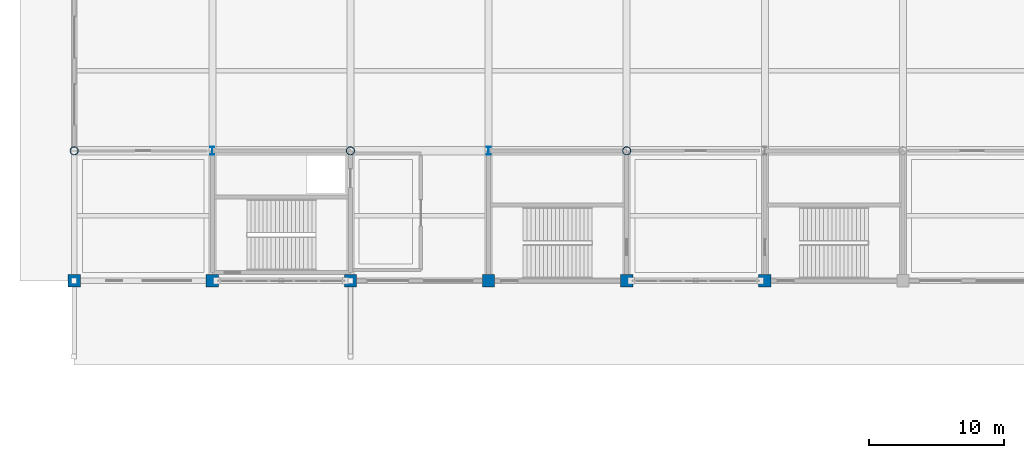
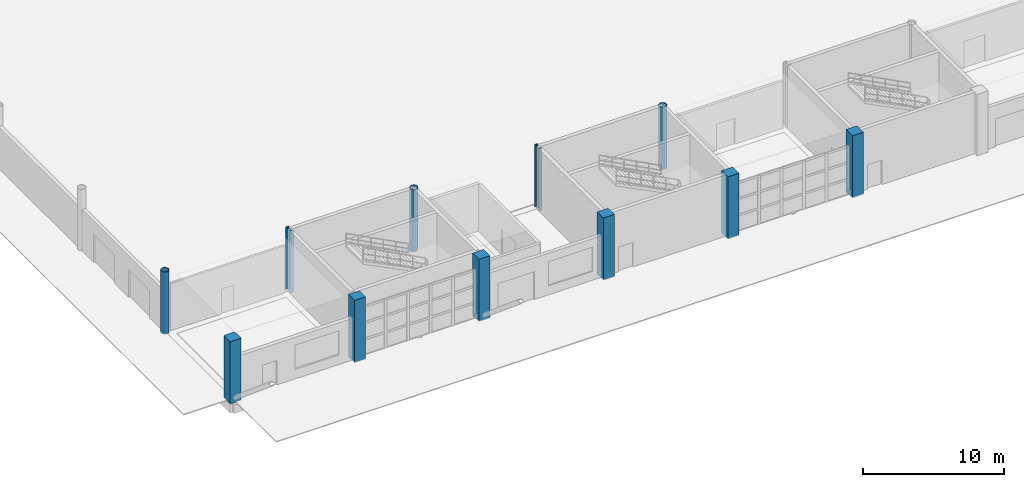
# One storey, part 1 of 124: 11 columns.
"""IFC4 building model written with IfcOpenShell, lengths in metres."""

from ifc_helpers import new_model, si_unit, direction, frame, origin, origin_2d, place, context, subcontext, project, spatial, rectangle, hollow_circle, i_section, extrude, material, material_profile, profile_set, type_object, element, save


model = new_model("IFC4")

# Units and contexts
model_context = context("Model", 3, precision=1e-05, world=origin(), true_north=direction((0.0, 1.0)))
body_context = subcontext(model_context, "Body", "Model", "MODEL_VIEW")
ifc_project = project(units=[si_unit("LENGTHUNIT", "METRE"), si_unit("AREAUNIT", "SQUARE_METRE"), si_unit("VOLUMEUNIT", "CUBIC_METRE"), si_unit("PLANEANGLEUNIT", "RADIAN"), si_unit("MASSUNIT", "GRAM", prefix="KILO")], contexts=[model_context])

# Site, building, storey
site_placement = place(None, origin())
site = spatial("IfcSite", under=ifc_project, at=site_placement, CompositionType="ELEMENT")
building_placement = place(site_placement, origin())
building = spatial("IfcBuilding", under=site, at=building_placement, Name="Brelvane Convention Centre", CompositionType="ELEMENT")
storey_placement = place(building_placement, origin())
storey = spatial("IfcBuildingStorey", under=building, at=storey_placement, Name="L00", CompositionType="ELEMENT", Elevation=0.0)

# Columns
ifc_material_1 = material(Name="Concrete M50", Category="concrete")
ifc_material_profile_1 = material_profile(ifc_material_1, rectangle(XDim=0.89990234375, YDim=0.89990234375, at=origin_2d()), Name="RC 900x900")
ifc_profile_set_1 = profile_set([ifc_material_profile_1], Name="Concrete M50")
column_type_1 = type_object("IfcColumnType", Name="RC Column C-RC2 (RC 900x900)", PredefinedType="COLUMN", material=ifc_profile_set_1)
for number, where, z_axis, x_axis, name in (
    (1, (0.0, 19.199951171875, 0.0), (0.0, 0.0, 1.0), (1.0, 0.0, 0.0), "Column 1-C (L00)"),
    (2, (10.199951171875, 19.199951171875, 0.0), (0.0, 0.0, 1.0), (1.0, 0.0, 0.0), "Column 2-C (L00)"),
    (3, (20.39990234375, 19.199951171875, 0.0), (0.0, 0.0, 1.0), (1.0, 0.0, 0.0), "Column 3-C (L00)"),
    (4, (30.60009765625, 19.199951171875, 0.0), (0.0, 0.0, 1.0), (1.0, 0.0, 0.0), "Column 4-C (L00)"),
    (5, (40.800048828125, 19.199951171875, 0.0), (0.0, 0.0, 1.0), (1.0, 0.0, 0.0), "Column 5-C (L00)"),
    (6, (51.0, 19.199951171875, 0.0), (0.0, 0.0, 1.0), (1.0, 0.0, 0.0), "Column 6-C (L00)"),
):
    element("IfcColumn", number, at=place(storey_placement, frame(where, z_axis=z_axis, x_axis=x_axis)), inside=storey, type_object=column_type_1, Name=name, PredefinedType="COLUMN", context=body_context, shape_type="SweptSolid", body=[
        extrude(rectangle(XDim=0.89990234375, YDim=0.89990234375, at=origin_2d()), origin(), (0.0, 0.0, 1.0), 5.39990234375),
    ])
ifc_material_2 = material(Name="Steel E450 (450 MPa)", Category="steel")
ifc_material_profile_2 = material_profile(ifc_material_2, hollow_circle(Radius=0.304931640625, WallThickness=0.02490234375, at=origin_2d()), Name="CHS 610.0x25.0")
ifc_profile_set_2 = profile_set([ifc_material_profile_2], Name="Steel E450 (450 MPa)")
column_type_2 = type_object("IfcColumnType", Name="Steel Column C-ST1 (CHS 610.0x25.0)", PredefinedType="COLUMN", material=ifc_profile_set_2)
for number, where, z_axis, x_axis, name in (
    (7, (0.0, 28.800048828125, 0.0), (0.0, 0.0, 1.0), (1.0, 0.0, 0.0), "Column 1-D (L00)"),
    (8, (20.39990234375, 28.800048828125, 0.0), (0.0, 0.0, 1.0), (1.0, 0.0, 0.0), "Column 3-D (L00)"),
    (9, (40.800048828125, 28.800048828125, 0.0), (0.0, 0.0, 1.0), (1.0, 0.0, 0.0), "Column 5-D (L00)"),
):
    element("IfcColumn", number, at=place(storey_placement, frame(where, z_axis=z_axis, x_axis=x_axis)), inside=storey, type_object=column_type_2, Name=name, PredefinedType="COLUMN", context=body_context, shape_type="SweptSolid", body=[
        extrude(hollow_circle(Radius=0.304931640625, WallThickness=0.02490234375, at=origin_2d()), origin(), (0.0, 0.0, 1.0), 5.39990234375),
    ])
ifc_material_3 = material(Name="Steel E450 (450 MPa)", Category="steel")
ifc_material_profile_3 = material_profile(ifc_material_3, i_section(OverallWidth=0.300048828125, OverallDepth=0.60009765625, WebThickness=0.015380859375, FlangeThickness=0.030029296875, FilletRadius=0.027099609375, at=origin_2d()), Name="WPB 600x300")
ifc_profile_set_3 = profile_set([ifc_material_profile_3], Name="Steel E450 (450 MPa)")
column_type_3 = type_object("IfcColumnType", Name="Steel Column C-ST5 (WPB 600x300)", PredefinedType="COLUMN", material=ifc_profile_set_3)
for number, where, z_axis, x_axis, name in (
    (10, (10.199951171875, 28.800048828125, 0.0), (0.0, 0.0, 1.0), (1.0, 0.0, 0.0), "Column 2-D (L00)"),
    (11, (30.60009765625, 28.800048828125, 0.0), (0.0, 0.0, 1.0), (1.0, 0.0, 0.0), "Column 4-D (L00)"),
):
    element("IfcColumn", number, at=place(storey_placement, frame(where, z_axis=z_axis, x_axis=x_axis)), inside=storey, type_object=column_type_3, Name=name, PredefinedType="COLUMN", context=body_context, shape_type="SweptSolid", body=[
        extrude(i_section(OverallWidth=0.300048828125, OverallDepth=0.60009765625, WebThickness=0.015380859375, FlangeThickness=0.030029296875, FilletRadius=0.027099609375, at=origin_2d()), origin(), (0.0, 0.0, 1.0), 5.39990234375),
    ])

save(model, "model.ifc")
